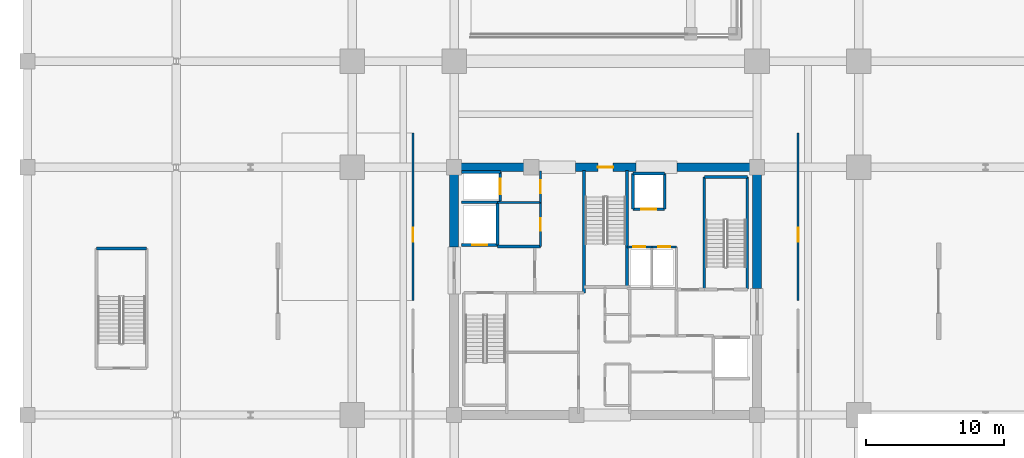
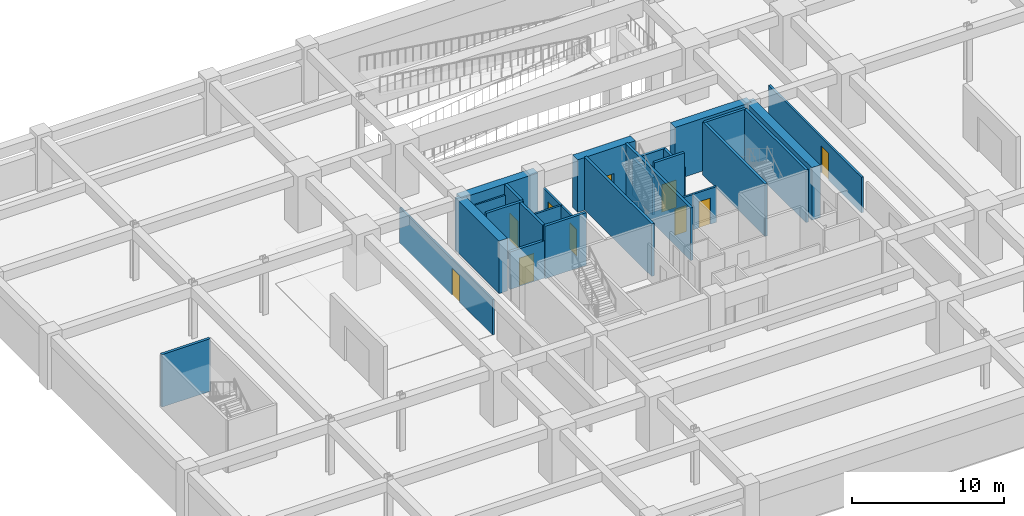
# One storey, part 9 of 16: 28 walls, 10 doors, 10 openings.
"""IFC4 building model written with IfcOpenShell, lengths in metres."""

from ifc_helpers import new_model, si_unit, direction, frame, frame_2d, origin, place, context, subcontext, project, spatial, rectangle, extrude, material, layer, layer_set, type_object, element, fill, save


model = new_model("IFC4")

# Units and contexts
model_context = context("Model", 3, precision=1e-05, world=origin(), true_north=direction((0.0, 1.0)))
body_context = subcontext(model_context, "Body", "Model", "MODEL_VIEW")
ifc_project = project(units=[si_unit("LENGTHUNIT", "METRE"), si_unit("AREAUNIT", "SQUARE_METRE"), si_unit("VOLUMEUNIT", "CUBIC_METRE"), si_unit("PLANEANGLEUNIT", "RADIAN"), si_unit("MASSUNIT", "GRAM", prefix="KILO")], contexts=[model_context])

# Site, building, storey
site_placement = place(None, origin())
site = spatial("IfcSite", under=ifc_project, at=site_placement, CompositionType="ELEMENT")
building_placement = place(site_placement, origin())
building = spatial("IfcBuilding", under=site, at=building_placement, Name="Kovane Verandah Tower", CompositionType="ELEMENT")
storey_placement = place(building_placement, frame((0.0, 0.0, -4.5)))
storey = spatial("IfcBuildingStorey", under=building, at=storey_placement, Name="B1", CompositionType="ELEMENT", Elevation=-4.5)

# Wall
ifc_material_1 = material(Name="Fire-Rated Gypsum Stud Partition", Category="gypsum")
ifc_layer_1 = layer(ifc_material_1, 0.14990234375)
ifc_layer_set_1 = layer_set([ifc_layer_1], Name="Fire-Rated Gypsum Stud Partition")
wall_type_1 = type_object("IfcWallType", Name="WL-COR-150", PredefinedType="PARTITIONING", material=ifc_layer_set_1)
wall_1_placement = place(storey_placement, frame((32.14990234375, 33.949951171875, 0.0), z_axis=(0.0, 0.0, 1.0), x_axis=(1.0, 0.0, 0.0)))
element("IfcWall", 1, at=wall_1_placement, inside=storey, type_object=wall_type_1, Name="B1 Goods Lift Lobby South Wall", PredefinedType="PARTITIONING", context=body_context, shape_type="SweptSolid", body=[
    extrude(rectangle(XDim=3.130126953125, YDim=0.14990234375, at=frame_2d((1.56494140625, 0.0))), origin(), (0.0, 0.0, 1.0), 2.85009765625),
])

# Wall, opening, door
wall_2_placement = place(storey_placement, frame((35.280029296875, 33.949951171875, 0.0), z_axis=(0.0, 0.0, 1.0), x_axis=(0.0, 1.0, 0.0)))
wall_2 = element("IfcWall", 2, at=wall_2_placement, inside=storey, type_object=wall_type_1, Name="B1 Goods Lift Lobby East Fire Partition", PredefinedType="PARTITIONING", context=body_context, shape_type="SweptSolid", body=[
    extrude(rectangle(XDim=2.27001953125, YDim=0.14990234375, at=frame_2d((1.135009765625, 0.0))), origin(), (0.0, 0.0, 1.0), 2.85009765625),
])
opening_1_placement = place(wall_2_placement, frame((0.659912109375, 0.0, 0.0)))
opening_1 = element("IfcOpeningElement", 3, at=opening_1_placement, cuts=wall_2, Name="Opening DR-B1-006", PredefinedType="OPENING", context=body_context, shape_type="SweptSolid", body=[
    extrude(rectangle(XDim=0.949951171875, YDim=2.14990234375, at=frame_2d((0.47509765625, 1.074951171875))), frame((0.0, 0.074951171875, 0.0), z_axis=(0.0, -1.0, 0.0), x_axis=(1.0, 0.0, 0.0)), (0.0, 0.0, 1.0), 0.14990234375),
])
ifc_material_2 = material(Name="Fire-Rated Steel Refuge and Lobby Door", Category="steel")
door_type_1 = type_object("IfcDoorType", Name="DR-FIRE-950", OperationType="SINGLE_SWING_LEFT", PredefinedType="DOOR", material=ifc_material_2)
door_1_placement = place(opening_1_placement, origin())
door_1 = element("IfcDoor", 4, at=door_1_placement, inside=storey, type_object=door_type_1, Name="B1 Goods Lift Lobby Fire Door", OperationType="SINGLE_SWING_LEFT", OverallHeight=2.14990234375, OverallWidth=0.949951171875, PredefinedType="DOOR", context=body_context, shape_type="SweptSolid", body=[
    extrude(rectangle(XDim=0.949951171875, YDim=2.14990234375, at=frame_2d((0.47509765625, 1.074951171875))), frame((0.0, 0.02490234375, 0.0), z_axis=(0.0, -1.0, 0.0), x_axis=(1.0, 0.0, 0.0)), (0.0, 0.0, 1.0), 0.050048828125),
])
fill(opening_1, door_1)

wall_3_placement = place(storey_placement, frame((35.280029296875, 30.75, 0.0), z_axis=(0.0, 0.0, 1.0), x_axis=(0.0, 1.0, 0.0)))
wall_3 = element("IfcWall", 5, at=wall_3_placement, inside=storey, type_object=wall_type_1, Name="B1 Accessible Unisex Toilet Partition", PredefinedType="PARTITIONING", context=body_context, shape_type="SweptSolid", body=[
    extrude(rectangle(XDim=3.199951171875, YDim=0.14990234375, at=frame_2d((1.60009765625, 0.0))), origin(), (0.0, 0.0, 1.0), 2.85009765625),
])
opening_2_placement = place(wall_3_placement, frame((1.14990234375, 0.0, 0.0)))
opening_2 = element("IfcOpeningElement", 6, at=opening_2_placement, cuts=wall_3, Name="Opening DR-B1-023", PredefinedType="OPENING", context=body_context, shape_type="SweptSolid", body=[
    extrude(rectangle(XDim=0.89990234375, YDim=2.10009765625, at=frame_2d((0.449951171875, 1.050048828125))), frame((0.0, 0.074951171875, 0.0), z_axis=(0.0, -1.0, 0.0), x_axis=(1.0, 0.0, 0.0)), (0.0, 0.0, 1.0), 0.14990234375),
])
ifc_material_3 = material(Name="Moisture-Resistant Laminate Washroom Door", Category="wood")
door_type_2 = type_object("IfcDoorType", Name="DR-WC-900", OperationType="SINGLE_SWING_LEFT", PredefinedType="DOOR", material=ifc_material_3)
door_2_placement = place(opening_2_placement, origin())
door_2 = element("IfcDoor", 7, at=door_2_placement, inside=storey, type_object=door_type_2, Name="B1 Accessible Unisex Toilet Door", OperationType="SINGLE_SWING_RIGHT", OverallHeight=2.10009765625, OverallWidth=0.89990234375, PredefinedType="DOOR", context=body_context, shape_type="SweptSolid", body=[
    extrude(rectangle(XDim=0.89990234375, YDim=2.10009765625, at=frame_2d((0.449951171875, 1.050048828125))), frame((0.0, 0.02490234375, 0.0), z_axis=(0.0, -1.0, 0.0), x_axis=(1.0, 0.0, 0.0)), (0.0, 0.0, 1.0), 0.050048828125),
])
fill(opening_2, door_2)

wall_4_placement = place(storey_placement, frame((41.56005859375, 30.719970703125, 0.0), z_axis=(0.0, 0.0, 1.0), x_axis=(1.0, 0.0, 0.0)))
wall_4 = element("IfcWall", 8, at=wall_4_placement, inside=storey, type_object=wall_type_1, Name="B1 Chilled Water Riser Room Partition", PredefinedType="PARTITIONING", context=body_context, shape_type="SweptSolid", body=[
    extrude(rectangle(XDim=1.800048828125, YDim=0.14990234375, at=frame_2d((0.89990234375, 0.0))), origin(), (0.0, 0.0, 1.0), 2.85009765625),
])
opening_3_placement = place(wall_4_placement, frame((0.4599609375, 0.0, 0.0)))
opening_3 = element("IfcOpeningElement", 9, at=opening_3_placement, cuts=wall_4, Name="Opening DR-B1-020", PredefinedType="OPENING", context=body_context, shape_type="SweptSolid", body=[
    extrude(rectangle(XDim=0.8798828125, YDim=2.10009765625, at=frame_2d((0.43994140625, 1.050048828125))), frame((0.0, 0.074951171875, 0.0), z_axis=(0.0, -1.0, 0.0), x_axis=(1.0, 0.0, 0.0)), (0.0, 0.0, 1.0), 0.14990234375),
])
ifc_material_4 = material(Name="Fire-Rated Steel Riser Access Door", Category="steel")
door_type_3 = type_object("IfcDoorType", Name="DR-RISER-880", OperationType="SINGLE_SWING_LEFT", PredefinedType="DOOR", material=ifc_material_4)
door_3_placement = place(opening_3_placement, origin())
door_3 = element("IfcDoor", 10, at=door_3_placement, inside=storey, type_object=door_type_3, Name="B1 Chilled Water Riser Room Door", OperationType="SINGLE_SWING_LEFT", OverallHeight=2.10009765625, OverallWidth=0.8798828125, PredefinedType="DOOR", context=body_context, shape_type="SweptSolid", body=[
    extrude(rectangle(XDim=0.8798828125, YDim=2.10009765625, at=frame_2d((0.43994140625, 1.050048828125))), frame((0.0, 0.02490234375, 0.0), z_axis=(0.0, -1.0, 0.0), x_axis=(1.0, 0.0, 0.0)), (0.0, 0.0, 1.0), 0.050048828125),
])
fill(opening_3, door_3)

wall_5_placement = place(storey_placement, frame((43.360107421875, 30.719970703125, 0.0), z_axis=(0.0, 0.0, 1.0), x_axis=(1.0, 0.0, 0.0)))
wall_5 = element("IfcWall", 11, at=wall_5_placement, inside=storey, type_object=wall_type_1, Name="B1 Smoke Extract Duct Room Partition", PredefinedType="PARTITIONING", context=body_context, shape_type="SweptSolid", body=[
    extrude(rectangle(XDim=1.789794921875, YDim=0.14990234375, at=frame_2d((0.89501953125, 0.0))), origin(), (0.0, 0.0, 1.0), 2.85009765625),
])
opening_4_placement = place(wall_5_placement, frame((0.455078125, 0.0, 0.0)))
opening_4 = element("IfcOpeningElement", 12, at=opening_4_placement, cuts=wall_5, Name="Opening DR-B1-021", PredefinedType="OPENING", context=body_context, shape_type="SweptSolid", body=[
    extrude(rectangle(XDim=0.8798828125, YDim=2.10009765625, at=frame_2d((0.43994140625, 1.050048828125))), frame((0.0, 0.074951171875, 0.0), z_axis=(0.0, -1.0, 0.0), x_axis=(1.0, 0.0, 0.0)), (0.0, 0.0, 1.0), 0.14990234375),
])
door_4_placement = place(opening_4_placement, origin())
door_4 = element("IfcDoor", 13, at=door_4_placement, inside=storey, type_object=door_type_3, Name="B1 Smoke Extract Duct Room Door", OperationType="SINGLE_SWING_RIGHT", OverallHeight=2.10009765625, OverallWidth=0.8798828125, PredefinedType="DOOR", context=body_context, shape_type="SweptSolid", body=[
    extrude(rectangle(XDim=0.8798828125, YDim=2.10009765625, at=frame_2d((0.43994140625, 1.050048828125))), frame((0.0, 0.02490234375, 0.0), z_axis=(0.0, -1.0, 0.0), x_axis=(1.0, 0.0, 0.0)), (0.0, 0.0, 1.0), 0.050048828125),
])
fill(opening_4, door_4)

wall_6_placement = place(storey_placement, frame((26.0, 26.800048828125, 0.0), z_axis=(0.0, 0.0, 1.0), x_axis=(0.0, 1.0, 0.0)))
wall_6 = element("IfcWall", 14, at=wall_6_placement, inside=storey, type_object=wall_type_1, Name="B1 Bicycle Parking and End-of-Trip Hub Corridor Partition", PredefinedType="PARTITIONING", context=body_context, shape_type="SweptSolid", body=[
    extrude(rectangle(XDim=12.199951171875, YDim=0.14990234375, at=frame_2d((6.10009765625, 0.0))), origin(), (0.0, 0.0, 1.0), 2.85009765625),
])
opening_5_placement = place(wall_6_placement, frame((4.300048828125, 0.0, 0.0)))
opening_5 = element("IfcOpeningElement", 15, at=opening_5_placement, cuts=wall_6, Name="Opening DR-B1-012", PredefinedType="OPENING", context=body_context, shape_type="SweptSolid", body=[
    extrude(rectangle(XDim=1.0, YDim=2.14990234375, at=frame_2d((0.5, 1.074951171875))), frame((0.0, 0.074951171875, 0.0), z_axis=(0.0, -1.0, 0.0), x_axis=(1.0, 0.0, 0.0)), (0.0, 0.0, 1.0), 0.14990234375),
])
ifc_material_5 = material(Name="FSC Spotted-Gum Timber Fire-Rated Office Door", Category="wood")
door_type_4 = type_object("IfcDoorType", Name="DR-OFF-1000", OperationType="SINGLE_SWING_LEFT", PredefinedType="DOOR", material=ifc_material_5)
door_5_placement = place(opening_5_placement, origin())
door_5 = element("IfcDoor", 16, at=door_5_placement, inside=storey, type_object=door_type_4, Name="B1 Bicycle Parking and End-of-Trip Hub Entrance Door", OperationType="SINGLE_SWING_RIGHT", OverallHeight=2.14990234375, OverallWidth=1.0, PredefinedType="DOOR", context=body_context, shape_type="SweptSolid", body=[
    extrude(rectangle(XDim=1.0, YDim=2.14990234375, at=frame_2d((0.5, 1.074951171875))), frame((0.0, 0.02490234375, 0.0), z_axis=(0.0, -1.0, 0.0), x_axis=(1.0, 0.0, 0.0)), (0.0, 0.0, 1.0), 0.050048828125),
])
fill(opening_5, door_5)

wall_7_placement = place(storey_placement, frame((54.0, 26.800048828125, 0.0), z_axis=(0.0, 0.0, 1.0), x_axis=(0.0, 1.0, 0.0)))
wall_7 = element("IfcWall", 17, at=wall_7_placement, inside=storey, type_object=wall_type_1, Name="B1 Goods Marshalling and Refuse Store Corridor Partition", PredefinedType="PARTITIONING", context=body_context, shape_type="SweptSolid", body=[
    extrude(rectangle(XDim=12.199951171875, YDim=0.14990234375, at=frame_2d((6.10009765625, 0.0))), origin(), (0.0, 0.0, 1.0), 2.85009765625),
])
opening_6_placement = place(wall_7_placement, frame((4.300048828125, 0.0, 0.0)))
opening_6 = element("IfcOpeningElement", 18, at=opening_6_placement, cuts=wall_7, Name="Opening DR-B1-018", PredefinedType="OPENING", context=body_context, shape_type="SweptSolid", body=[
    extrude(rectangle(XDim=1.0, YDim=2.14990234375, at=frame_2d((0.5, 1.074951171875))), frame((0.0, 0.074951171875, 0.0), z_axis=(0.0, -1.0, 0.0), x_axis=(1.0, 0.0, 0.0)), (0.0, 0.0, 1.0), 0.14990234375),
])
door_6_placement = place(opening_6_placement, origin())
door_6 = element("IfcDoor", 19, at=door_6_placement, inside=storey, type_object=door_type_4, Name="B1 Goods Marshalling and Refuse Store Entrance Door", OperationType="SINGLE_SWING_RIGHT", OverallHeight=2.14990234375, OverallWidth=1.0, PredefinedType="DOOR", context=body_context, shape_type="SweptSolid", body=[
    extrude(rectangle(XDim=1.0, YDim=2.14990234375, at=frame_2d((0.5, 1.074951171875))), frame((0.0, 0.02490234375, 0.0), z_axis=(0.0, -1.0, 0.0), x_axis=(1.0, 0.0, 0.0)), (0.0, 0.0, 1.0), 0.050048828125),
])
fill(opening_6, door_6)

# Wall
ifc_material_6 = material(Name="Concrete C80/95", Category="concrete")
ifc_layer_2 = layer(ifc_material_6, 0.64990234375)
ifc_layer_set_2 = layer_set([ifc_layer_2], Name="Concrete C80/95")
wall_type_2 = type_object("IfcWallType", Name="WL-CORE-650", PredefinedType="SHEAR", material=ifc_layer_set_2)
wall_8_placement = place(storey_placement, frame((29.0, 36.5, 0.0), z_axis=(0.0, 0.0, 1.0), x_axis=(1.0, 0.0, 0.0)))
element("IfcWall", 20, at=wall_8_placement, inside=storey, type_object=wall_type_2, Name="B1 Core Shear Wall CN-1", PredefinedType="SHEAR", context=body_context, shape_type="SweptSolid", body=[
    extrude(rectangle(XDim=5.800048828125, YDim=0.64990234375, at=frame_2d((2.89990234375, 0.0))), origin(), (0.0, 0.0, 1.0), 4.219970703125),
])

# Wall, opening, door
wall_9_placement = place(storey_placement, frame((37.800048828125, 36.5, 0.0), z_axis=(0.0, 0.0, 1.0), x_axis=(1.0, 0.0, 0.0)))
wall_9 = element("IfcWall", 21, at=wall_9_placement, inside=storey, type_object=wall_type_2, Name="B1 Core Shear Wall CN-2", PredefinedType="SHEAR", context=body_context, shape_type="SweptSolid", body=[
    extrude(rectangle(XDim=4.39990234375, YDim=0.64990234375, at=frame_2d((2.199951171875, 0.0))), origin(), (0.0, 0.0, 1.0), 4.219970703125),
])
opening_7_placement = place(wall_9_placement, frame((1.64990234375, 0.0, 0.0)))
opening_7 = element("IfcOpeningElement", 22, at=opening_7_placement, cuts=wall_9, Name="Opening DR-B1-009", PredefinedType="OPENING", context=body_context, shape_type="SweptSolid", body=[
    extrude(rectangle(XDim=1.10009765625, YDim=2.14990234375, at=frame_2d((0.550048828125, 1.074951171875))), frame((0.0, 0.324951171875, 0.0), z_axis=(0.0, -1.0, 0.0), x_axis=(1.0, 0.0, 0.0)), (0.0, 0.0, 1.0), 0.64990234375),
])
ifc_material_7 = material(Name="Fire-Rated Steel Exit Door", Category="steel")
door_type_5 = type_object("IfcDoorType", Name="DR-STAIR-1100", OperationType="SINGLE_SWING_LEFT", PredefinedType="DOOR", material=ifc_material_7)
door_7_placement = place(opening_7_placement, origin())
door_7 = element("IfcDoor", 23, at=door_7_placement, inside=storey, type_object=door_type_5, Name="B1 ST-03 Fire Exit Stair Door", OperationType="SINGLE_SWING_LEFT", OverallHeight=2.14990234375, OverallWidth=1.10009765625, PredefinedType="DOOR", context=body_context, shape_type="SweptSolid", body=[
    extrude(rectangle(XDim=1.10009765625, YDim=2.14990234375, at=frame_2d((0.550048828125, 1.074951171875))), frame((0.0, 0.02490234375, 0.0), z_axis=(0.0, -1.0, 0.0), x_axis=(1.0, 0.0, 0.0)), (0.0, 0.0, 1.0), 0.050048828125),
])
fill(opening_7, door_7)

# Walls
for number, where, z_axis, x_axis, name in (
    (24, (45.199951171875, 36.5, 0.0), (0.0, 0.0, 1.0), (1.0, 0.0, 0.0), "B1 Core Shear Wall CN-3"),
    (25, (29.0, 30.699951171875, 0.0), (0.0, 0.0, 1.0), (0.0, 1.0, 0.0), "B1 Core Shear Wall CW-2"),
):
    element("IfcWall", number, at=place(storey_placement, frame(where, z_axis=z_axis, x_axis=x_axis)), inside=storey, type_object=wall_type_2, Name=name, PredefinedType="SHEAR", context=body_context, shape_type="SweptSolid", body=[
        extrude(rectangle(XDim=5.800048828125, YDim=0.64990234375, at=frame_2d((2.89990234375, 0.0))), origin(), (0.0, 0.0, 1.0), 4.219970703125),
    ])
wall_10_placement = place(storey_placement, frame((51.0, 27.699951171875, 0.0), z_axis=(0.0, 0.0, 1.0), x_axis=(0.0, 1.0, 0.0)))
element("IfcWall", 26, at=wall_10_placement, inside=storey, type_object=wall_type_2, Name="B1 Core Shear Wall CE-2", PredefinedType="SHEAR", context=body_context, shape_type="SweptSolid", body=[
    extrude(rectangle(XDim=8.800048828125, YDim=0.64990234375, at=frame_2d((4.39990234375, 0.0))), origin(), (0.0, 0.0, 1.0), 4.219970703125),
])
ifc_material_8 = material(Name="Concrete C45/55 Fire Wall", Category="concrete")
ifc_layer_3 = layer(ifc_material_8, 0.199951171875)
ifc_layer_set_3 = layer_set([ifc_layer_3], Name="Concrete C45/55 Fire Wall")
wall_type_3 = type_object("IfcWallType", Name="WL-FFL-200", PredefinedType="PARTITIONING", material=ifc_layer_set_3)
wall_11_placement = place(storey_placement, frame((32.14990234375, 30.75, 0.0), z_axis=(0.0, 0.0, 1.0), x_axis=(1.0, 0.0, 0.0)))
element("IfcWall", 27, at=wall_11_placement, inside=storey, type_object=wall_type_3, Name="B1 West Firefighting Lobby North Fire Wall", PredefinedType="PARTITIONING", context=body_context, shape_type="SweptSolid", body=[
    extrude(rectangle(XDim=3.130126953125, YDim=0.199951171875, at=frame_2d((1.56494140625, 0.0))), origin(), (0.0, 0.0, 1.0), 4.219970703125),
])

# Wall, opening, door
ifc_material_9 = material(Name="Concrete C45/55 Lift Shaft Wall", Category="concrete")
ifc_layer_4 = layer(ifc_material_9, 0.199951171875)
ifc_layer_set_4 = layer_set([ifc_layer_4], Name="Concrete C45/55 Lift Shaft Wall")
wall_type_4 = type_object("IfcWallType", Name="WL-LIFT-200", PredefinedType="SOLIDWALL", material=ifc_layer_set_4)
wall_12_placement = place(storey_placement, frame((29.550048828125, 30.85009765625, 0.0), z_axis=(0.0, 0.0, 1.0), x_axis=(1.0, 0.0, 0.0)))
wall_12 = element("IfcWall", 28, at=wall_12_placement, inside=storey, type_object=wall_type_4, Name="B1 Lift FL-01 S Shaft Wall", PredefinedType="SOLIDWALL", context=body_context, shape_type="SweptSolid", body=[
    extrude(rectangle(XDim=2.599853515625, YDim=0.199951171875, at=frame_2d((1.2998046875, 0.0))), origin(), (0.0, 0.0, 1.0), 3.0),
])
opening_8_placement = place(wall_12_placement, frame((0.75, 0.0, 0.0)))
opening_8 = element("IfcOpeningElement", 29, at=opening_8_placement, cuts=wall_12, Name="Opening LD-B1-001", PredefinedType="OPENING", context=body_context, shape_type="SweptSolid", body=[
    extrude(rectangle(XDim=1.10009765625, YDim=2.199951171875, at=frame_2d((0.550048828125, 1.10009765625))), frame((0.0, 0.10009765625, 0.0), z_axis=(0.0, -1.0, 0.0), x_axis=(1.0, 0.0, 0.0)), (0.0, 0.0, 1.0), 0.199951171875),
])
ifc_material_10 = material(Name="Brushed Stainless Steel Sliding Lift Landing Door", Category="steel")
door_type_6 = type_object("IfcDoorType", Name="DR-LIFT-1100", OperationType="SLIDING_TO_RIGHT", PredefinedType="DOOR", material=ifc_material_10)
door_8_placement = place(opening_8_placement, origin())
door_8 = element("IfcDoor", 30, at=door_8_placement, inside=storey, type_object=door_type_6, Name="B1 Lift FL-01 Sliding Landing Door", OperationType="SLIDING_TO_RIGHT", OverallHeight=2.199951171875, OverallWidth=1.10009765625, PredefinedType="DOOR", context=body_context, shape_type="SweptSolid", body=[
    extrude(rectangle(XDim=1.10009765625, YDim=2.199951171875, at=frame_2d((0.550048828125, 1.10009765625))), frame((0.0, 0.02490234375, 0.0), z_axis=(0.0, -1.0, 0.0), x_axis=(1.0, 0.0, 0.0)), (0.0, 0.0, 1.0), 0.050048828125),
])
fill(opening_8, door_8)

# Walls
wall_13_placement = place(storey_placement, frame((29.550048828125, 33.949951171875, 0.0), z_axis=(0.0, 0.0, 1.0), x_axis=(1.0, 0.0, 0.0)))
element("IfcWall", 31, at=wall_13_placement, inside=storey, type_object=wall_type_4, Name="B1 Lift FL-01 and GL-01 Shared Shaft Wall", PredefinedType="SOLIDWALL", context=body_context, shape_type="SweptSolid", body=[
    extrude(rectangle(XDim=2.800048828125, YDim=0.199951171875, at=frame_2d((1.39990234375, 0.0))), origin(), (0.0, 0.0, 1.0), 4.219970703125),
])
wall_14_placement = place(storey_placement, frame((32.14990234375, 30.85009765625, 0.0), z_axis=(0.0, 0.0, 1.0), x_axis=(0.0, 1.0, 0.0)))
element("IfcWall", 32, at=wall_14_placement, inside=storey, type_object=wall_type_4, Name="B1 Lift FL-01 E Shaft Wall", PredefinedType="SOLIDWALL", context=body_context, shape_type="SweptSolid", body=[
    extrude(rectangle(XDim=3.0, YDim=0.199951171875, at=frame_2d((1.5, 0.0))), origin(), (0.0, 0.0, 1.0), 4.219970703125),
])
wall_15_placement = place(storey_placement, frame((32.35009765625, 36.14990234375, 0.0), z_axis=(0.0, 0.0, 1.0), x_axis=(-1.0, 0.0, 0.0)))
element("IfcWall", 33, at=wall_15_placement, inside=storey, type_object=wall_type_4, Name="B1 Lift GL-01 N Shaft Wall", PredefinedType="SOLIDWALL", context=body_context, shape_type="SweptSolid", body=[
    extrude(rectangle(XDim=2.800048828125, YDim=0.199951171875, at=frame_2d((1.39990234375, 0.0))), origin(), (0.0, 0.0, 1.0), 3.39990234375),
])

# Wall, opening, door
wall_16_placement = place(storey_placement, frame((32.35009765625, 34.050048828125, 0.0), z_axis=(0.0, 0.0, 1.0), x_axis=(0.0, 1.0, 0.0)))
wall_16 = element("IfcWall", 34, at=wall_16_placement, inside=storey, type_object=wall_type_4, Name="B1 Lift GL-01 E Shaft Wall", PredefinedType="SOLIDWALL", context=body_context, shape_type="SweptSolid", body=[
    extrude(rectangle(XDim=2.099853515625, YDim=0.199951171875, at=frame_2d((1.0498046875, 0.0))), origin(), (0.0, 0.0, 1.0), 4.219970703125),
])
opening_9_placement = place(wall_16_placement, frame((0.5, 0.0, 0.0)))
opening_9 = element("IfcOpeningElement", 35, at=opening_9_placement, cuts=wall_16, Name="Opening LD-B1-003", PredefinedType="OPENING", context=body_context, shape_type="SweptSolid", body=[
    extrude(rectangle(XDim=1.10009765625, YDim=2.199951171875, at=frame_2d((0.550048828125, 1.10009765625))), frame((0.0, 0.10009765625, 0.0), z_axis=(0.0, -1.0, 0.0), x_axis=(1.0, 0.0, 0.0)), (0.0, 0.0, 1.0), 0.199951171875),
])
door_9_placement = place(opening_9_placement, origin())
door_9 = element("IfcDoor", 36, at=door_9_placement, inside=storey, type_object=door_type_6, Name="B1 Lift GL-01 Sliding Landing Door", OperationType="SLIDING_TO_RIGHT", OverallHeight=2.199951171875, OverallWidth=1.10009765625, PredefinedType="DOOR", context=body_context, shape_type="SweptSolid", body=[
    extrude(rectangle(XDim=1.10009765625, YDim=2.199951171875, at=frame_2d((0.550048828125, 1.10009765625))), frame((0.0, 0.02490234375, 0.0), z_axis=(0.0, -1.0, 0.0), x_axis=(1.0, 0.0, 0.0)), (0.0, 0.0, 1.0), 0.050048828125),
])
fill(opening_9, door_9)

wall_17_placement = place(storey_placement, frame((42.0, 33.449951171875, 0.0), z_axis=(0.0, 0.0, 1.0), x_axis=(1.0, 0.0, 0.0)))
wall_17 = element("IfcWall", 37, at=wall_17_placement, inside=storey, type_object=wall_type_4, Name="B1 Lift SL-01 S Shaft Wall", PredefinedType="SOLIDWALL", context=body_context, shape_type="SweptSolid", body=[
    extrude(rectangle(XDim=2.300048828125, YDim=0.199951171875, at=frame_2d((1.14990234375, 0.0))), origin(), (0.0, 0.0, 1.0), 4.219970703125),
])
opening_10_placement = place(wall_17_placement, frame((0.60009765625, 0.0, 0.0)))
opening_10 = element("IfcOpeningElement", 38, at=opening_10_placement, cuts=wall_17, Name="Opening LD-B1-004", PredefinedType="OPENING", context=body_context, shape_type="SweptSolid", body=[
    extrude(rectangle(XDim=1.10009765625, YDim=2.199951171875, at=frame_2d((0.550048828125, 1.10009765625))), frame((0.0, 0.10009765625, 0.0), z_axis=(0.0, -1.0, 0.0), x_axis=(1.0, 0.0, 0.0)), (0.0, 0.0, 1.0), 0.199951171875),
])
door_10_placement = place(opening_10_placement, origin())
door_10 = element("IfcDoor", 39, at=door_10_placement, inside=storey, type_object=door_type_6, Name="B1 Lift SL-01 Sliding Landing Door", OperationType="SLIDING_TO_RIGHT", OverallHeight=2.199951171875, OverallWidth=1.10009765625, PredefinedType="DOOR", context=body_context, shape_type="SweptSolid", body=[
    extrude(rectangle(XDim=1.10009765625, YDim=2.199951171875, at=frame_2d((0.550048828125, 1.10009765625))), frame((0.0, 0.02490234375, 0.0), z_axis=(0.0, -1.0, 0.0), x_axis=(1.0, 0.0, 0.0)), (0.0, 0.0, 1.0), 0.050048828125),
])
fill(opening_10, door_10)

# Walls
wall_18_placement = place(storey_placement, frame((44.300048828125, 36.050048828125, 0.0), z_axis=(0.0, 0.0, 1.0), x_axis=(-1.0, 0.0, 0.0)))
element("IfcWall", 40, at=wall_18_placement, inside=storey, type_object=wall_type_4, Name="B1 Lift SL-01 N Shaft Wall", PredefinedType="SOLIDWALL", context=body_context, shape_type="SweptSolid", body=[
    extrude(rectangle(XDim=2.300048828125, YDim=0.199951171875, at=frame_2d((1.14990234375, 0.0))), origin(), (0.0, 0.0, 1.0), 3.0),
])
for number, where, z_axis, x_axis, name in (
    (41, (42.0, 36.050048828125, 0.0), (0.0, 0.0, 1.0), (0.0, -1.0, 0.0), "B1 Lift SL-01 W Shaft Wall"),
    (42, (44.300048828125, 33.449951171875, 0.0), (0.0, 0.0, 1.0), (0.0, 1.0, 0.0), "B1 Lift SL-01 E Shaft Wall"),
):
    element("IfcWall", number, at=place(storey_placement, frame(where, z_axis=z_axis, x_axis=x_axis)), inside=storey, type_object=wall_type_4, Name=name, PredefinedType="SOLIDWALL", context=body_context, shape_type="SweptSolid", body=[
        extrude(rectangle(XDim=2.60009765625, YDim=0.199951171875, at=frame_2d((1.300048828125, 0.0))), origin(), (0.0, 0.0, 1.0), 3.0),
    ])
ifc_material_11 = material(Name="Concrete C45/55", Category="concrete")
ifc_layer_5 = layer(ifc_material_11, 0.199951171875)
ifc_layer_set_5 = layer_set([ifc_layer_5], Name="Concrete C45/55")
wall_type_5 = type_object("IfcWallType", Name="WL-SHAFT-200", PredefinedType="SOLIDWALL", material=ifc_layer_set_5)
wall_19_placement = place(storey_placement, frame((50.300048828125, 27.64990234375, 0.0), z_axis=(0.0, 0.0, 1.0), x_axis=(0.0, 1.0, 0.0)))
element("IfcWall", 43, at=wall_19_placement, inside=storey, type_object=wall_type_5, Name="W-B1-ST02-E", PredefinedType="SOLIDWALL", context=body_context, shape_type="SweptSolid", body=[
    extrude(rectangle(XDim=8.150146484375, YDim=0.199951171875, at=frame_2d((4.0751953125, 0.0))), origin(), (0.0, 0.0, 1.0), 4.219970703125),
])
wall_20_placement = place(storey_placement, frame((47.179931640625, 35.800048828125, 0.0), z_axis=(0.0, 0.0, 1.0), x_axis=(1.0, 0.0, 0.0)))
element("IfcWall", 44, at=wall_20_placement, inside=storey, type_object=wall_type_5, Name="W-B1-ST02-N", PredefinedType="SOLIDWALL", context=body_context, shape_type="SweptSolid", body=[
    extrude(rectangle(XDim=3.1201171875, YDim=0.199951171875, at=frame_2d((1.56005859375, 0.0))), origin(), (0.0, 0.0, 1.0), 4.219970703125),
])
wall_21_placement = place(storey_placement, frame((47.179931640625, 27.6201171875, 0.0), z_axis=(0.0, 0.0, 1.0), x_axis=(0.0, 1.0, 0.0)))
element("IfcWall", 45, at=wall_21_placement, inside=storey, type_object=wall_type_5, Name="W-B1-ST02-W", PredefinedType="SOLIDWALL", context=body_context, shape_type="SweptSolid", body=[
    extrude(rectangle(XDim=8.179931640625, YDim=0.199951171875, at=frame_2d((4.08984375, 0.0))), origin(), (0.0, 0.0, 1.0), 4.219970703125),
])
wall_22_placement = place(storey_placement, frame((38.43994140625, 27.3798828125, 0.0), z_axis=(0.0, 0.0, 1.0), x_axis=(0.0, 1.0, 0.0)))
element("IfcWall", 46, at=wall_22_placement, inside=storey, type_object=wall_type_5, Name="W-B1-ST03-W", PredefinedType="SOLIDWALL", context=body_context, shape_type="SweptSolid", body=[
    extrude(rectangle(XDim=8.8701171875, YDim=0.199951171875, at=frame_2d((4.43505859375, 0.0))), origin(), (0.0, 0.0, 1.0), 4.219970703125),
])
wall_23_placement = place(storey_placement, frame((41.56005859375, 27.679931640625, 0.0), z_axis=(0.0, 0.0, 1.0), x_axis=(0.0, 1.0, 0.0)))
element("IfcWall", 47, at=wall_23_placement, inside=storey, type_object=wall_type_5, Name="W-B1-ST03-E", PredefinedType="SOLIDWALL", context=body_context, shape_type="SweptSolid", body=[
    extrude(rectangle(XDim=8.570068359375, YDim=0.199951171875, at=frame_2d((4.28515625, 0.0))), origin(), (0.0, 0.0, 1.0), 4.219970703125),
])
wall_24_placement = place(storey_placement, frame((3.0, 30.60009765625, 0.0), z_axis=(0.0, 0.0, 1.0), x_axis=(1.0, 0.0, 0.0)))
element("IfcWall", 48, at=wall_24_placement, inside=storey, type_object=wall_type_5, Name="W-B1-ST-04-N", PredefinedType="SOLIDWALL", context=body_context, shape_type="SweptSolid", body=[
    extrude(rectangle(XDim=3.659912109375, YDim=0.199951171875, at=frame_2d((1.830078125, 0.0))), origin(), (0.0, 0.0, 1.0), 4.219970703125),
])

save(model, "model.ifc")
